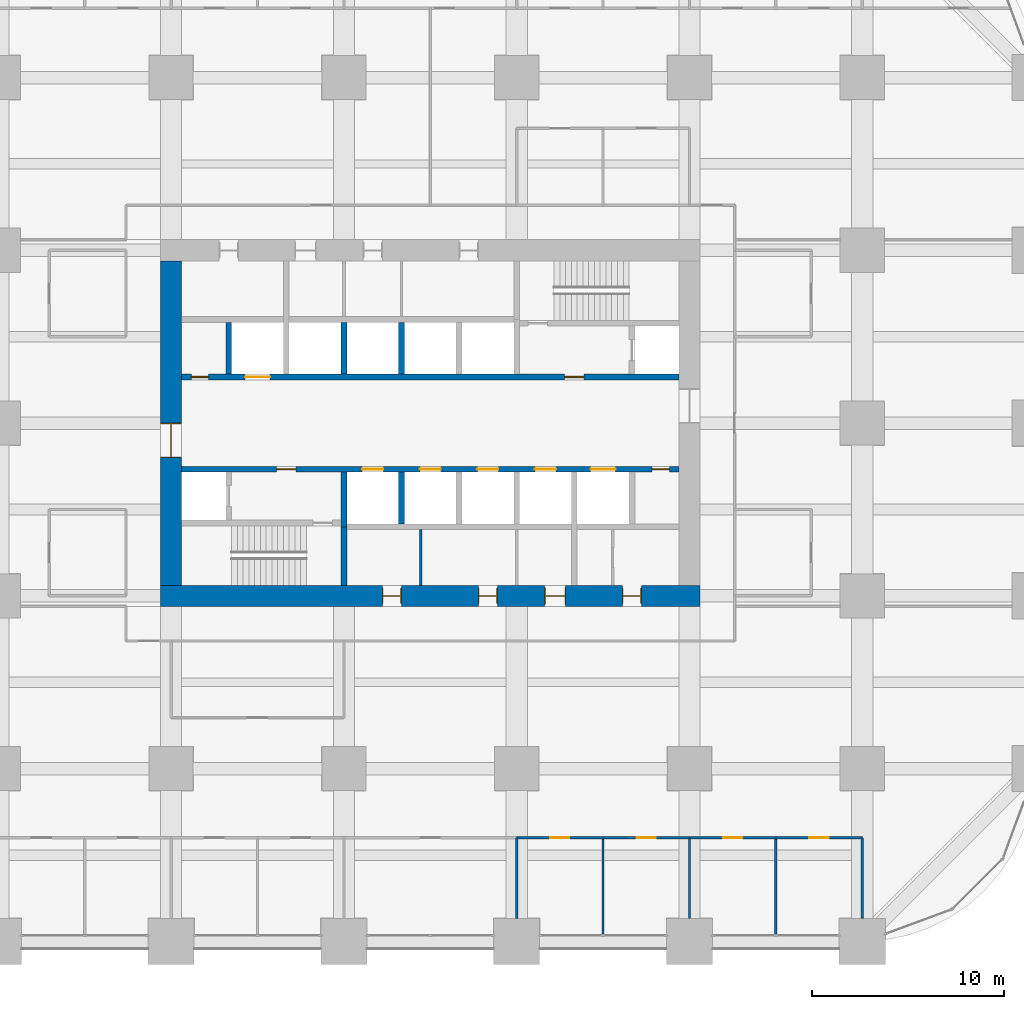
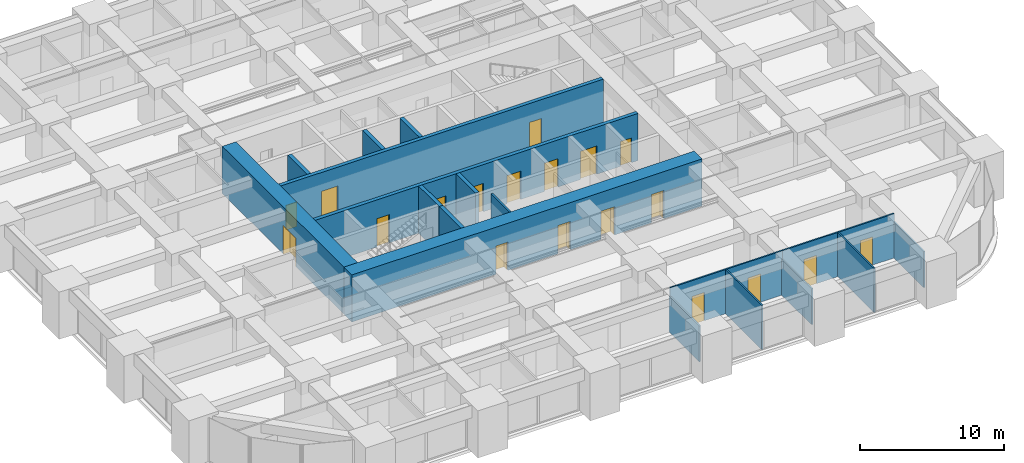
# One storey, part 40 of 45: 20 walls, 19 doors, 19 openings.
"""IFC4 building model written with IfcOpenShell, lengths in metres."""

from ifc_helpers import new_model, si_unit, direction, frame, frame_2d, origin, place, context, subcontext, project, spatial, rectangle, extrude, material, layer, layer_set, type_object, element, fill, save


model = new_model("IFC4")

# Units and contexts
model_context = context("Model", 3, precision=1e-05, world=origin(), true_north=direction((0.0, 1.0)))
body_context = subcontext(model_context, "Body", "Model", "MODEL_VIEW")
ifc_project = project(units=[si_unit("LENGTHUNIT", "METRE"), si_unit("AREAUNIT", "SQUARE_METRE"), si_unit("VOLUMEUNIT", "CUBIC_METRE"), si_unit("PLANEANGLEUNIT", "RADIAN"), si_unit("MASSUNIT", "GRAM", prefix="KILO")], contexts=[model_context])

# Site, building, storey
site_placement = place(None, origin())
site = spatial("IfcSite", under=ifc_project, at=site_placement, CompositionType="ELEMENT")
building_placement = place(site_placement, origin())
building = spatial("IfcBuilding", under=site, at=building_placement, Name="Zorevar Civic Tower", CompositionType="ELEMENT")
storey_placement = place(building_placement, frame((0.0, 0.0, 47.800048828125)))
storey = spatial("IfcBuildingStorey", under=building, at=storey_placement, Name="L11", CompositionType="ELEMENT", Elevation=47.800048828125)

# Wall, openings, doors
ifc_material_1 = material(Name="Concrete C50/60", Category="concrete")
ifc_layer_1 = layer(ifc_material_1, 1.10009765625)
ifc_layer_set_1 = layer_set([ifc_layer_1], Name="Core wall 1100")
wall_type_1 = type_object("IfcWallType", Name="Core wall 1100", PredefinedType="SHEAR", material=ifc_layer_set_1)
wall_1_placement = place(storey_placement, frame((17.449951171875, 18.0, 0.0), z_axis=(0.0, 0.0, 1.0), x_axis=(1.0, 0.0, 0.0)))
wall_1 = element("IfcWall", 1, at=wall_1_placement, inside=storey, type_object=wall_type_1, Name="Core wall S L11", PredefinedType="SHEAR", context=body_context, shape_type="SweptSolid", body=[
    extrude(rectangle(XDim=28.10009765625, YDim=1.10009765625, at=frame_2d((14.050048828125, 0.0))), origin(), (0.0, 0.0, 1.0), 4.0),
])
opening_1_placement = place(wall_1_placement, frame((11.550048828125, 0.0, 0.0)))
opening_1 = element("IfcOpeningElement", 2, at=opening_1_placement, cuts=wall_1, Name="Opening L11.03", PredefinedType="OPENING", context=body_context, shape_type="SweptSolid", body=[
    extrude(rectangle(XDim=1.0, YDim=2.39990234375, at=frame_2d((0.5, 1.199951171875))), frame((0.0, 0.56005859375, 0.0), z_axis=(0.0, -1.0, 0.0), x_axis=(1.0, 0.0, 0.0)), (0.0, 0.0, 1.0), 1.1201171875),
])
opening_2_placement = place(wall_1_placement, frame((16.550048828125, 0.0, 0.0)))
opening_2 = element("IfcOpeningElement", 3, at=opening_2_placement, cuts=wall_1, Name="Opening L11.04", PredefinedType="OPENING", context=body_context, shape_type="SweptSolid", body=[
    extrude(rectangle(XDim=1.0, YDim=2.39990234375, at=frame_2d((0.5, 1.199951171875))), frame((0.0, 0.56005859375, 0.0), z_axis=(0.0, -1.0, 0.0), x_axis=(1.0, 0.0, 0.0)), (0.0, 0.0, 1.0), 1.1201171875),
])
opening_3_placement = place(wall_1_placement, frame((20.0, 0.0, 0.0)))
opening_3 = element("IfcOpeningElement", 4, at=opening_3_placement, cuts=wall_1, Name="Opening L11.05", PredefinedType="OPENING", context=body_context, shape_type="SweptSolid", body=[
    extrude(rectangle(XDim=1.10009765625, YDim=2.39990234375, at=frame_2d((0.550048828125, 1.199951171875))), frame((0.0, 0.56005859375, 0.0), z_axis=(0.0, -1.0, 0.0), x_axis=(1.0, 0.0, 0.0)), (0.0, 0.0, 1.0), 1.1201171875),
])
opening_4_placement = place(wall_1_placement, frame((24.050048828125, 0.0, 0.0)))
opening_4 = element("IfcOpeningElement", 5, at=opening_4_placement, cuts=wall_1, Name="Opening L11.06", PredefinedType="OPENING", context=body_context, shape_type="SweptSolid", body=[
    extrude(rectangle(XDim=1.0, YDim=2.39990234375, at=frame_2d((0.5, 1.199951171875))), frame((0.0, 0.56005859375, 0.0), z_axis=(0.0, -1.0, 0.0), x_axis=(1.0, 0.0, 0.0)), (0.0, 0.0, 1.0), 1.1201171875),
])
ifc_material_2 = material(Name="Timber door set", Category="wood")
door_type_1 = type_object("IfcDoorType", Name="Door D1 1000x2400", OperationType="SINGLE_SWING_LEFT", PredefinedType="DOOR", material=ifc_material_2)
door_1_placement = place(opening_1_placement, origin())
door_1 = element("IfcDoor", 6, at=door_1_placement, inside=storey, type_object=door_type_1, Name="Door L11 02", OperationType="SINGLE_SWING_RIGHT", OverallHeight=2.39990234375, OverallWidth=1.0, PredefinedType="DOOR", context=body_context, shape_type="SweptSolid", body=[
    extrude(rectangle(XDim=1.0, YDim=2.39990234375, at=frame_2d((0.5, 1.199951171875))), frame((0.0, 0.02490234375, 0.0), z_axis=(0.0, -1.0, 0.0), x_axis=(1.0, 0.0, 0.0)), (0.0, 0.0, 1.0), 0.050048828125),
    extrude(rectangle(XDim=0.04, YDim=2.39990234375, at=frame_2d((0.02001953125, 1.199951171875))), frame((0.0, 0.39990234375, 0.0), z_axis=(0.0, -1.0, 0.0), x_axis=(1.0, 0.0, 0.0)), (0.0, 0.0, 1.0), 0.800048828125),
    extrude(rectangle(XDim=0.04, YDim=2.39990234375, at=frame_2d((0.97998046875, 1.199951171875))), frame((0.0, 0.39990234375, 0.0), z_axis=(0.0, -1.0, 0.0), x_axis=(1.0, 0.0, 0.0)), (0.0, 0.0, 1.0), 0.800048828125),
    extrude(rectangle(XDim=1.0, YDim=0.04, at=frame_2d((0.5, 2.3798828125))), frame((0.0, 0.39990234375, 0.0), z_axis=(0.0, -1.0, 0.0), x_axis=(1.0, 0.0, 0.0)), (0.0, 0.0, 1.0), 0.800048828125),
])
fill(opening_1, door_1)
door_2_placement = place(opening_2_placement, origin())
door_2 = element("IfcDoor", 7, at=door_2_placement, inside=storey, type_object=door_type_1, Name="Door L11 03", OperationType="SINGLE_SWING_LEFT", OverallHeight=2.39990234375, OverallWidth=1.0, PredefinedType="DOOR", context=body_context, shape_type="SweptSolid", body=[
    extrude(rectangle(XDim=1.0, YDim=2.39990234375, at=frame_2d((0.5, 1.199951171875))), frame((0.0, 0.02490234375, 0.0), z_axis=(0.0, -1.0, 0.0), x_axis=(1.0, 0.0, 0.0)), (0.0, 0.0, 1.0), 0.050048828125),
    extrude(rectangle(XDim=0.04, YDim=2.39990234375, at=frame_2d((0.02001953125, 1.199951171875))), frame((0.0, 0.39990234375, 0.0), z_axis=(0.0, -1.0, 0.0), x_axis=(1.0, 0.0, 0.0)), (0.0, 0.0, 1.0), 0.800048828125),
    extrude(rectangle(XDim=0.04, YDim=2.39990234375, at=frame_2d((0.97998046875, 1.199951171875))), frame((0.0, 0.39990234375, 0.0), z_axis=(0.0, -1.0, 0.0), x_axis=(1.0, 0.0, 0.0)), (0.0, 0.0, 1.0), 0.800048828125),
    extrude(rectangle(XDim=1.0, YDim=0.04, at=frame_2d((0.5, 2.3798828125))), frame((0.0, 0.39990234375, 0.0), z_axis=(0.0, -1.0, 0.0), x_axis=(1.0, 0.0, 0.0)), (0.0, 0.0, 1.0), 0.800048828125),
])
fill(opening_2, door_2)
door_3_placement = place(opening_4_placement, origin())
door_3 = element("IfcDoor", 8, at=door_3_placement, inside=storey, type_object=door_type_1, Name="Door L11 05", OperationType="SINGLE_SWING_LEFT", OverallHeight=2.39990234375, OverallWidth=1.0, PredefinedType="DOOR", context=body_context, shape_type="SweptSolid", body=[
    extrude(rectangle(XDim=1.0, YDim=2.39990234375, at=frame_2d((0.5, 1.199951171875))), frame((0.0, 0.02490234375, 0.0), z_axis=(0.0, -1.0, 0.0), x_axis=(1.0, 0.0, 0.0)), (0.0, 0.0, 1.0), 0.050048828125),
    extrude(rectangle(XDim=0.04, YDim=2.39990234375, at=frame_2d((0.02001953125, 1.199951171875))), frame((0.0, 0.39990234375, 0.0), z_axis=(0.0, -1.0, 0.0), x_axis=(1.0, 0.0, 0.0)), (0.0, 0.0, 1.0), 0.800048828125),
    extrude(rectangle(XDim=0.04, YDim=2.39990234375, at=frame_2d((0.97998046875, 1.199951171875))), frame((0.0, 0.39990234375, 0.0), z_axis=(0.0, -1.0, 0.0), x_axis=(1.0, 0.0, 0.0)), (0.0, 0.0, 1.0), 0.800048828125),
    extrude(rectangle(XDim=1.0, YDim=0.04, at=frame_2d((0.5, 2.3798828125))), frame((0.0, 0.39990234375, 0.0), z_axis=(0.0, -1.0, 0.0), x_axis=(1.0, 0.0, 0.0)), (0.0, 0.0, 1.0), 0.800048828125),
])
fill(opening_4, door_3)
ifc_material_3 = material(Name="Timber door set", Category="wood")
door_type_2 = type_object("IfcDoorType", Name="Door D5 1100x2400", OperationType="SINGLE_SWING_LEFT", PredefinedType="DOOR", material=ifc_material_3)
door_4_placement = place(opening_3_placement, origin())
door_4 = element("IfcDoor", 9, at=door_4_placement, inside=storey, type_object=door_type_2, Name="Door L11 04", OperationType="SINGLE_SWING_LEFT", OverallHeight=2.39990234375, OverallWidth=1.10009765625, PredefinedType="DOOR", context=body_context, shape_type="SweptSolid", body=[
    extrude(rectangle(XDim=1.10009765625, YDim=2.39990234375, at=frame_2d((0.550048828125, 1.199951171875))), frame((0.0, 0.02490234375, 0.0), z_axis=(0.0, -1.0, 0.0), x_axis=(1.0, 0.0, 0.0)), (0.0, 0.0, 1.0), 0.050048828125),
    extrude(rectangle(XDim=0.04, YDim=2.39990234375, at=frame_2d((0.02001953125, 1.199951171875))), frame((0.0, 0.43994140625, 0.0), z_axis=(0.0, -1.0, 0.0), x_axis=(1.0, 0.0, 0.0)), (0.0, 0.0, 1.0), 0.880126953125),
    extrude(rectangle(XDim=0.04, YDim=2.39990234375, at=frame_2d((1.080078125, 1.199951171875))), frame((0.0, 0.43994140625, 0.0), z_axis=(0.0, -1.0, 0.0), x_axis=(1.0, 0.0, 0.0)), (0.0, 0.0, 1.0), 0.880126953125),
    extrude(rectangle(XDim=1.10009765625, YDim=0.04, at=frame_2d((0.550048828125, 2.3798828125))), frame((0.0, 0.43994140625, 0.0), z_axis=(0.0, -1.0, 0.0), x_axis=(1.0, 0.0, 0.0)), (0.0, 0.0, 1.0), 0.880126953125),
])
fill(opening_3, door_4)

# Wall, opening, door
wall_2_placement = place(storey_placement, frame((18.0, 35.449951171875, 0.0), z_axis=(0.0, 0.0, 1.0), x_axis=(0.0, -1.0, 0.0)))
wall_2 = element("IfcWall", 10, at=wall_2_placement, inside=storey, type_object=wall_type_1, Name="Core wall W L11", PredefinedType="SHEAR", context=body_context, shape_type="SweptSolid", body=[
    extrude(rectangle(XDim=16.89990234375, YDim=1.10009765625, at=frame_2d((8.449951171875, 0.0))), origin(), (0.0, 0.0, 1.0), 4.0),
])
opening_5_placement = place(wall_2_placement, frame((8.449951171875, 0.0, 0.0)))
opening_5 = element("IfcOpeningElement", 11, at=opening_5_placement, cuts=wall_2, Name="Opening L11.01", PredefinedType="OPENING", context=body_context, shape_type="SweptSolid", body=[
    extrude(rectangle(XDim=1.800048828125, YDim=2.39990234375, at=frame_2d((0.89990234375, 1.199951171875))), frame((0.0, 0.56005859375, 0.0), z_axis=(0.0, -1.0, 0.0), x_axis=(1.0, 0.0, 0.0)), (0.0, 0.0, 1.0), 1.1201171875),
])
ifc_material_4 = material(Name="Steel door set", Category="steel")
door_type_3 = type_object("IfcDoorType", Name="Fire door FD2 1800x2400", OperationType="DOUBLE_DOOR_DOUBLE_SWING", PredefinedType="DOOR", material=ifc_material_4)
door_5_placement = place(opening_5_placement, origin())
door_5 = element("IfcDoor", 12, at=door_5_placement, inside=storey, type_object=door_type_3, Name="Door L11 00", OperationType="DOUBLE_DOOR_DOUBLE_SWING", OverallHeight=2.39990234375, OverallWidth=1.800048828125, PredefinedType="DOOR", context=body_context, shape_type="SweptSolid", body=[
    extrude(rectangle(XDim=1.800048828125, YDim=2.39990234375, at=frame_2d((0.89990234375, 1.199951171875))), frame((0.0, 0.030029296875, 0.0), z_axis=(0.0, -1.0, 0.0), x_axis=(1.0, 0.0, 0.0)), (0.0, 0.0, 1.0), 0.06005859375),
    extrude(rectangle(XDim=0.04, YDim=2.39990234375, at=frame_2d((0.02001953125, 1.199951171875))), frame((0.0, 0.5498046875, 0.0), z_axis=(0.0, -1.0, 0.0), x_axis=(1.0, 0.0, 0.0)), (0.0, 0.0, 1.0), 1.099609375),
    extrude(rectangle(XDim=0.04, YDim=2.39990234375, at=frame_2d((1.780029296875, 1.199951171875))), frame((0.0, 0.5498046875, 0.0), z_axis=(0.0, -1.0, 0.0), x_axis=(1.0, 0.0, 0.0)), (0.0, 0.0, 1.0), 1.099609375),
    extrude(rectangle(XDim=1.800048828125, YDim=0.04, at=frame_2d((0.89990234375, 2.3798828125))), frame((0.0, 0.5498046875, 0.0), z_axis=(0.0, -1.0, 0.0), x_axis=(1.0, 0.0, 0.0)), (0.0, 0.0, 1.0), 1.099609375),
])
fill(opening_5, door_5)

# Wall
ifc_material_5 = material(Name="Concrete C40/50", Category="concrete")
ifc_layer_2 = layer(ifc_material_5, 0.300048828125)
ifc_layer_set_2 = layer_set([ifc_layer_2], Name="Inner core wall 300")
wall_type_2 = type_object("IfcWallType", Name="Inner core wall 300", PredefinedType="SHEAR", material=ifc_layer_set_2)
wall_3_placement = place(storey_placement, frame((27.0, 18.550048828125, 0.0), z_axis=(0.0, 0.0, 1.0), x_axis=(0.0, 1.0, 0.0)))
element("IfcWall", 13, at=wall_3_placement, inside=storey, type_object=wall_type_2, Name="Inner core wall S01 L11", PredefinedType="SHEAR", context=body_context, shape_type="SweptSolid", body=[
    extrude(rectangle(XDim=3.050048828125, YDim=0.300048828125, at=frame_2d((1.52490234375, 0.0))), origin(), (0.0, 0.0, 1.0), 4.0),
])

# Wall, openings, doors
wall_4_placement = place(storey_placement, frame((18.550048828125, 24.60009765625, 0.0), z_axis=(0.0, 0.0, 1.0), x_axis=(1.0, 0.0, 0.0)))
wall_4 = element("IfcWall", 14, at=wall_4_placement, inside=storey, type_object=wall_type_2, Name="Inner core wall S03 L11", PredefinedType="SHEAR", context=body_context, shape_type="SweptSolid", body=[
    extrude(rectangle(XDim=25.89990234375, YDim=0.300048828125, at=frame_2d((12.949951171875, 0.0))), origin(), (0.0, 0.0, 1.0), 4.0),
])
opening_6_placement = place(wall_4_placement, frame((4.949951171875, 0.0, 0.0)))
opening_6 = element("IfcOpeningElement", 15, at=opening_6_placement, cuts=wall_4, Name="Opening L11.13", PredefinedType="OPENING", context=body_context, shape_type="SweptSolid", body=[
    extrude(rectangle(XDim=1.0, YDim=2.39990234375, at=frame_2d((0.5, 1.199951171875))), frame((0.0, 0.159912109375, 0.0), z_axis=(0.0, -1.0, 0.0), x_axis=(1.0, 0.0, 0.0)), (0.0, 0.0, 1.0), 0.320068359375),
])
opening_7_placement = place(wall_4_placement, frame((24.5, 0.0, 0.0)))
opening_7 = element("IfcOpeningElement", 16, at=opening_7_placement, cuts=wall_4, Name="Opening L11.15", PredefinedType="OPENING", context=body_context, shape_type="SweptSolid", body=[
    extrude(rectangle(XDim=0.89990234375, YDim=2.10009765625, at=frame_2d((0.449951171875, 1.050048828125))), frame((0.0, 0.159912109375, 0.0), z_axis=(0.0, -1.0, 0.0), x_axis=(1.0, 0.0, 0.0)), (0.0, 0.0, 1.0), 0.320068359375),
])
opening_8_placement = place(wall_4_placement, frame((9.39990234375, 0.0, 0.0)))
opening_8 = element("IfcOpeningElement", 17, at=opening_8_placement, cuts=wall_4, Name="Opening L11.LP1", PredefinedType="OPENING", context=body_context, shape_type="SweptSolid", body=[
    extrude(rectangle(XDim=1.10009765625, YDim=2.39990234375, at=frame_2d((0.550048828125, 1.199951171875))), frame((0.0, 0.159912109375, 0.0), z_axis=(0.0, -1.0, 0.0), x_axis=(1.0, 0.0, 0.0)), (0.0, 0.0, 1.0), 0.320068359375),
])
opening_9_placement = place(wall_4_placement, frame((12.39990234375, 0.0, 0.0)))
opening_9 = element("IfcOpeningElement", 18, at=opening_9_placement, cuts=wall_4, Name="Opening L11.LP2", PredefinedType="OPENING", context=body_context, shape_type="SweptSolid", body=[
    extrude(rectangle(XDim=1.10009765625, YDim=2.39990234375, at=frame_2d((0.550048828125, 1.199951171875))), frame((0.0, 0.159912109375, 0.0), z_axis=(0.0, -1.0, 0.0), x_axis=(1.0, 0.0, 0.0)), (0.0, 0.0, 1.0), 0.320068359375),
])
opening_10_placement = place(wall_4_placement, frame((15.39990234375, 0.0, 0.0)))
opening_10 = element("IfcOpeningElement", 19, at=opening_10_placement, cuts=wall_4, Name="Opening L11.LP3", PredefinedType="OPENING", context=body_context, shape_type="SweptSolid", body=[
    extrude(rectangle(XDim=1.10009765625, YDim=2.39990234375, at=frame_2d((0.550048828125, 1.199951171875))), frame((0.0, 0.159912109375, 0.0), z_axis=(0.0, -1.0, 0.0), x_axis=(1.0, 0.0, 0.0)), (0.0, 0.0, 1.0), 0.320068359375),
])
opening_11_placement = place(wall_4_placement, frame((18.39990234375, 0.0, 0.0)))
opening_11 = element("IfcOpeningElement", 20, at=opening_11_placement, cuts=wall_4, Name="Opening L11.LP4", PredefinedType="OPENING", context=body_context, shape_type="SweptSolid", body=[
    extrude(rectangle(XDim=1.10009765625, YDim=2.39990234375, at=frame_2d((0.550048828125, 1.199951171875))), frame((0.0, 0.159912109375, 0.0), z_axis=(0.0, -1.0, 0.0), x_axis=(1.0, 0.0, 0.0)), (0.0, 0.0, 1.0), 0.320068359375),
])
opening_12_placement = place(wall_4_placement, frame((21.300048828125, 0.0, 0.0)))
opening_12 = element("IfcOpeningElement", 21, at=opening_12_placement, cuts=wall_4, Name="Opening L11.SL1", PredefinedType="OPENING", context=body_context, shape_type="SweptSolid", body=[
    extrude(rectangle(XDim=1.300048828125, YDim=2.39990234375, at=frame_2d((0.64990234375, 1.199951171875))), frame((0.0, 0.159912109375, 0.0), z_axis=(0.0, -1.0, 0.0), x_axis=(1.0, 0.0, 0.0)), (0.0, 0.0, 1.0), 0.320068359375),
])
ifc_material_6 = material(Name="Steel door set", Category="steel")
door_type_4 = type_object("IfcDoorType", Name="Fire door FD1 1000x2400", OperationType="SINGLE_SWING_LEFT", PredefinedType="DOOR", material=ifc_material_6)
door_6_placement = place(opening_6_placement, origin())
door_6 = element("IfcDoor", 22, at=door_6_placement, inside=storey, type_object=door_type_4, Name="Door L11 12", OperationType="SINGLE_SWING_RIGHT", OverallHeight=2.39990234375, OverallWidth=1.0, PredefinedType="DOOR", context=body_context, shape_type="SweptSolid", body=[
    extrude(rectangle(XDim=1.0, YDim=2.39990234375, at=frame_2d((0.5, 1.199951171875))), frame((0.0, 0.030029296875, 0.0), z_axis=(0.0, -1.0, 0.0), x_axis=(1.0, 0.0, 0.0)), (0.0, 0.0, 1.0), 0.06005859375),
])
fill(opening_6, door_6)
ifc_material_7 = material(Name="Steel door set", Category="steel")
door_type_5 = type_object("IfcDoorType", Name="Landing door LD1 1100x2400", OperationType="DOUBLE_DOOR_SLIDING", PredefinedType="DOOR", material=ifc_material_7)
door_7_placement = place(opening_8_placement, origin())
door_7 = element("IfcDoor", 23, at=door_7_placement, inside=storey, type_object=door_type_5, Name="Landing door LP1 L11", OperationType="DOUBLE_DOOR_SLIDING", OverallHeight=2.39990234375, OverallWidth=1.10009765625, PredefinedType="DOOR", context=body_context, shape_type="SweptSolid", body=[
    extrude(rectangle(XDim=1.10009765625, YDim=2.39990234375, at=frame_2d((0.550048828125, 1.199951171875))), frame((0.0, 0.02001953125, 0.0), z_axis=(0.0, -1.0, 0.0), x_axis=(1.0, 0.0, 0.0)), (0.0, 0.0, 1.0), 0.0400390625),
])
fill(opening_8, door_7)
door_8_placement = place(opening_9_placement, origin())
door_8 = element("IfcDoor", 24, at=door_8_placement, inside=storey, type_object=door_type_5, Name="Landing door LP2 L11", OperationType="DOUBLE_DOOR_SLIDING", OverallHeight=2.39990234375, OverallWidth=1.10009765625, PredefinedType="DOOR", context=body_context, shape_type="SweptSolid", body=[
    extrude(rectangle(XDim=1.10009765625, YDim=2.39990234375, at=frame_2d((0.550048828125, 1.199951171875))), frame((0.0, 0.02001953125, 0.0), z_axis=(0.0, -1.0, 0.0), x_axis=(1.0, 0.0, 0.0)), (0.0, 0.0, 1.0), 0.0400390625),
])
fill(opening_9, door_8)
door_9_placement = place(opening_10_placement, origin())
door_9 = element("IfcDoor", 25, at=door_9_placement, inside=storey, type_object=door_type_5, Name="Landing door LP3 L11", OperationType="DOUBLE_DOOR_SLIDING", OverallHeight=2.39990234375, OverallWidth=1.10009765625, PredefinedType="DOOR", context=body_context, shape_type="SweptSolid", body=[
    extrude(rectangle(XDim=1.10009765625, YDim=2.39990234375, at=frame_2d((0.550048828125, 1.199951171875))), frame((0.0, 0.02001953125, 0.0), z_axis=(0.0, -1.0, 0.0), x_axis=(1.0, 0.0, 0.0)), (0.0, 0.0, 1.0), 0.0400390625),
])
fill(opening_10, door_9)
door_10_placement = place(opening_11_placement, origin())
door_10 = element("IfcDoor", 26, at=door_10_placement, inside=storey, type_object=door_type_5, Name="Landing door LP4 L11", OperationType="DOUBLE_DOOR_SLIDING", OverallHeight=2.39990234375, OverallWidth=1.10009765625, PredefinedType="DOOR", context=body_context, shape_type="SweptSolid", body=[
    extrude(rectangle(XDim=1.10009765625, YDim=2.39990234375, at=frame_2d((0.550048828125, 1.199951171875))), frame((0.0, 0.02001953125, 0.0), z_axis=(0.0, -1.0, 0.0), x_axis=(1.0, 0.0, 0.0)), (0.0, 0.0, 1.0), 0.0400390625),
])
fill(opening_11, door_10)
ifc_material_8 = material(Name="Steel door set", Category="steel")
door_type_6 = type_object("IfcDoorType", Name="Landing door LD2 1300x2400", OperationType="DOUBLE_DOOR_SLIDING", PredefinedType="DOOR", material=ifc_material_8)
door_11_placement = place(opening_12_placement, origin())
door_11 = element("IfcDoor", 27, at=door_11_placement, inside=storey, type_object=door_type_6, Name="Landing door SL1 L11", OperationType="DOUBLE_DOOR_SLIDING", OverallHeight=2.39990234375, OverallWidth=1.300048828125, PredefinedType="DOOR", context=body_context, shape_type="SweptSolid", body=[
    extrude(rectangle(XDim=1.300048828125, YDim=2.39990234375, at=frame_2d((0.64990234375, 1.199951171875))), frame((0.0, 0.02001953125, 0.0), z_axis=(0.0, -1.0, 0.0), x_axis=(1.0, 0.0, 0.0)), (0.0, 0.0, 1.0), 0.0400390625),
])
fill(opening_12, door_11)
ifc_material_9 = material(Name="Steel door set", Category="steel")
door_type_7 = type_object("IfcDoorType", Name="Riser door RD1 900x2100", OperationType="SINGLE_SWING_LEFT", PredefinedType="DOOR", material=ifc_material_9)
door_12_placement = place(opening_7_placement, origin())
door_12 = element("IfcDoor", 28, at=door_12_placement, inside=storey, type_object=door_type_7, Name="Door L11 14", OperationType="SINGLE_SWING_RIGHT", OverallHeight=2.10009765625, OverallWidth=0.89990234375, PredefinedType="DOOR", context=body_context, shape_type="SweptSolid", body=[
    extrude(rectangle(XDim=0.89990234375, YDim=2.10009765625, at=frame_2d((0.449951171875, 1.050048828125))), frame((0.0, 0.030029296875, 0.0), z_axis=(0.0, -1.0, 0.0), x_axis=(1.0, 0.0, 0.0)), (0.0, 0.0, 1.0), 0.06005859375),
])
fill(opening_7, door_12)

wall_5_placement = place(storey_placement, frame((18.550048828125, 29.39990234375, 0.0), z_axis=(0.0, 0.0, 1.0), x_axis=(1.0, 0.0, 0.0)))
wall_5 = element("IfcWall", 29, at=wall_5_placement, inside=storey, type_object=wall_type_2, Name="Inner core wall N03 L11", PredefinedType="SHEAR", context=body_context, shape_type="SweptSolid", body=[
    extrude(rectangle(XDim=25.89990234375, YDim=0.300048828125, at=frame_2d((12.949951171875, 0.0))), origin(), (0.0, 0.0, 1.0), 4.0),
])
opening_13_placement = place(wall_5_placement, frame((19.949951171875, 0.0, 0.0)))
opening_13 = element("IfcOpeningElement", 30, at=opening_13_placement, cuts=wall_5, Name="Opening L11.14", PredefinedType="OPENING", context=body_context, shape_type="SweptSolid", body=[
    extrude(rectangle(XDim=1.0, YDim=2.39990234375, at=frame_2d((0.5, 1.199951171875))), frame((0.0, 0.159912109375, 0.0), z_axis=(0.0, -1.0, 0.0), x_axis=(1.0, 0.0, 0.0)), (0.0, 0.0, 1.0), 0.320068359375),
])
opening_14_placement = place(wall_5_placement, frame((0.5, 0.0, 0.0)))
opening_14 = element("IfcOpeningElement", 31, at=opening_14_placement, cuts=wall_5, Name="Opening L11.16", PredefinedType="OPENING", context=body_context, shape_type="SweptSolid", body=[
    extrude(rectangle(XDim=0.89990234375, YDim=2.10009765625, at=frame_2d((0.449951171875, 1.050048828125))), frame((0.0, 0.159912109375, 0.0), z_axis=(0.0, -1.0, 0.0), x_axis=(1.0, 0.0, 0.0)), (0.0, 0.0, 1.0), 0.320068359375),
])
opening_15_placement = place(wall_5_placement, frame((3.300048828125, 0.0, 0.0)))
opening_15 = element("IfcOpeningElement", 32, at=opening_15_placement, cuts=wall_5, Name="Opening L11.SL2", PredefinedType="OPENING", context=body_context, shape_type="SweptSolid", body=[
    extrude(rectangle(XDim=1.300048828125, YDim=2.39990234375, at=frame_2d((0.64990234375, 1.199951171875))), frame((0.0, 0.159912109375, 0.0), z_axis=(0.0, -1.0, 0.0), x_axis=(1.0, 0.0, 0.0)), (0.0, 0.0, 1.0), 0.320068359375),
])
door_13_placement = place(opening_13_placement, origin())
door_13 = element("IfcDoor", 33, at=door_13_placement, inside=storey, type_object=door_type_4, Name="Door L11 13", OperationType="SINGLE_SWING_RIGHT", OverallHeight=2.39990234375, OverallWidth=1.0, PredefinedType="DOOR", context=body_context, shape_type="SweptSolid", body=[
    extrude(rectangle(XDim=1.0, YDim=2.39990234375, at=frame_2d((0.5, 1.199951171875))), frame((0.0, 0.030029296875, 0.0), z_axis=(0.0, -1.0, 0.0), x_axis=(1.0, 0.0, 0.0)), (0.0, 0.0, 1.0), 0.06005859375),
])
fill(opening_13, door_13)
door_14_placement = place(opening_15_placement, origin())
door_14 = element("IfcDoor", 34, at=door_14_placement, inside=storey, type_object=door_type_6, Name="Landing door SL2 L11", OperationType="DOUBLE_DOOR_SLIDING", OverallHeight=2.39990234375, OverallWidth=1.300048828125, PredefinedType="DOOR", context=body_context, shape_type="SweptSolid", body=[
    extrude(rectangle(XDim=1.300048828125, YDim=2.39990234375, at=frame_2d((0.64990234375, 1.199951171875))), frame((0.0, 0.02001953125, 0.0), z_axis=(0.0, -1.0, 0.0), x_axis=(1.0, 0.0, 0.0)), (0.0, 0.0, 1.0), 0.0400390625),
])
fill(opening_15, door_14)
door_15_placement = place(opening_14_placement, origin())
door_15 = element("IfcDoor", 35, at=door_15_placement, inside=storey, type_object=door_type_7, Name="Door L11 15", OperationType="SINGLE_SWING_RIGHT", OverallHeight=2.10009765625, OverallWidth=0.89990234375, PredefinedType="DOOR", context=body_context, shape_type="SweptSolid", body=[
    extrude(rectangle(XDim=0.89990234375, YDim=2.10009765625, at=frame_2d((0.449951171875, 1.050048828125))), frame((0.0, 0.030029296875, 0.0), z_axis=(0.0, -1.0, 0.0), x_axis=(1.0, 0.0, 0.0)), (0.0, 0.0, 1.0), 0.06005859375),
])
fill(opening_14, door_15)

# Walls
for number, where, z_axis, x_axis, name in (
    (36, (30.0, 21.75, 0.0), (0.0, 0.0, 1.0), (0.0, 1.0, 0.0), "Inner core wall S05 L11"),
    (37, (30.0, 29.550048828125, 0.0), (0.0, 0.0, 1.0), (0.0, 1.0, 0.0), "Inner core wall N06 L11"),
    (38, (27.0, 29.550048828125, 0.0), (0.0, 0.0, 1.0), (0.0, 1.0, 0.0), "Inner core wall N07 L11"),
    (39, (21.0, 29.550048828125, 0.0), (0.0, 0.0, 1.0), (0.0, 1.0, 0.0), "Inner core wall N09 L11"),
):
    element("IfcWall", number, at=place(storey_placement, frame(where, z_axis=z_axis, x_axis=x_axis)), inside=storey, type_object=wall_type_2, Name=name, PredefinedType="SHEAR", context=body_context, shape_type="SweptSolid", body=[
        extrude(rectangle(XDim=2.699951171875, YDim=0.300048828125, at=frame_2d((1.35009765625, 0.0))), origin(), (0.0, 0.0, 1.0), 4.0),
    ])
wall_6_placement = place(storey_placement, frame((27.0, 21.60009765625, 0.0), z_axis=(0.0, 0.0, 1.0), x_axis=(0.0, 1.0, 0.0)))
element("IfcWall", 40, at=wall_6_placement, inside=storey, type_object=wall_type_2, Name="Inner core wall S10 L11", PredefinedType="SHEAR", context=body_context, shape_type="SweptSolid", body=[
    extrude(rectangle(XDim=2.849853515625, YDim=0.300048828125, at=frame_2d((1.4248046875, 0.0))), origin(), (0.0, 0.0, 1.0), 4.0),
])

# Wall, opening, door
ifc_material_10 = material(Name="Gypsum board on steel studs", Category="steel")
ifc_layer_3 = layer(ifc_material_10, 0.1201171875)
ifc_layer_set_3 = layer_set([ifc_layer_3], Name="Partition 120")
wall_type_3 = type_object("IfcWallType", Name="Partition 120", PredefinedType="PARTITIONING", material=ifc_layer_set_3)
wall_7_placement = place(storey_placement, frame((36.0, 5.39990234375, 0.0), z_axis=(0.0, 0.0, 1.0), x_axis=(1.0, 0.0, 0.0)))
wall_7 = element("IfcWall", 41, at=wall_7_placement, inside=storey, type_object=wall_type_3, Name="Partition 120 L11", PredefinedType="PARTITIONING", context=body_context, shape_type="SweptSolid", body=[
    extrude(rectangle(XDim=4.5, YDim=0.1201171875, at=frame_2d((2.25, 0.0))), origin(), (0.0, 0.0, 1.0), 3.75),
])
opening_16_placement = place(wall_7_placement, frame((1.75, 0.0, 0.0)))
opening_16 = element("IfcOpeningElement", 42, at=opening_16_placement, cuts=wall_7, Name="Opening L11.22", PredefinedType="OPENING", context=body_context, shape_type="SweptSolid", body=[
    extrude(rectangle(XDim=1.0, YDim=2.39990234375, at=frame_2d((0.5, 1.199951171875))), frame((0.0, 0.070068359375, 0.0), z_axis=(0.0, -1.0, 0.0), x_axis=(1.0, 0.0, 0.0)), (0.0, 0.0, 1.0), 0.14013671875),
])
door_16_placement = place(opening_16_placement, origin())
door_16 = element("IfcDoor", 43, at=door_16_placement, inside=storey, type_object=door_type_1, Name="Door L11 D1", OperationType="SINGLE_SWING_LEFT", OverallHeight=2.39990234375, OverallWidth=1.0, PredefinedType="DOOR", context=body_context, shape_type="SweptSolid", body=[
    extrude(rectangle(XDim=1.0, YDim=2.39990234375, at=frame_2d((0.5, 1.199951171875))), frame((0.0, 0.02490234375, 0.0), z_axis=(0.0, -1.0, 0.0), x_axis=(1.0, 0.0, 0.0)), (0.0, 0.0, 1.0), 0.050048828125),
])
fill(opening_16, door_16)

wall_8_placement = place(storey_placement, frame((40.5, 5.39990234375, 0.0), z_axis=(0.0, 0.0, 1.0), x_axis=(1.0, 0.0, 0.0)))
wall_8 = element("IfcWall", 44, at=wall_8_placement, inside=storey, type_object=wall_type_3, Name="Partition 120 L11", PredefinedType="PARTITIONING", context=body_context, shape_type="SweptSolid", body=[
    extrude(rectangle(XDim=4.5, YDim=0.1201171875, at=frame_2d((2.25, 0.0))), origin(), (0.0, 0.0, 1.0), 3.75),
])
opening_17_placement = place(wall_8_placement, frame((1.75, 0.0, 0.0)))
opening_17 = element("IfcOpeningElement", 45, at=opening_17_placement, cuts=wall_8, Name="Opening L11.23", PredefinedType="OPENING", context=body_context, shape_type="SweptSolid", body=[
    extrude(rectangle(XDim=1.0, YDim=2.39990234375, at=frame_2d((0.5, 1.199951171875))), frame((0.0, 0.070068359375, 0.0), z_axis=(0.0, -1.0, 0.0), x_axis=(1.0, 0.0, 0.0)), (0.0, 0.0, 1.0), 0.14013671875),
])
door_17_placement = place(opening_17_placement, origin())
door_17 = element("IfcDoor", 46, at=door_17_placement, inside=storey, type_object=door_type_1, Name="Door L11 D1", OperationType="SINGLE_SWING_LEFT", OverallHeight=2.39990234375, OverallWidth=1.0, PredefinedType="DOOR", context=body_context, shape_type="SweptSolid", body=[
    extrude(rectangle(XDim=1.0, YDim=2.39990234375, at=frame_2d((0.5, 1.199951171875))), frame((0.0, 0.02490234375, 0.0), z_axis=(0.0, -1.0, 0.0), x_axis=(1.0, 0.0, 0.0)), (0.0, 0.0, 1.0), 0.050048828125),
])
fill(opening_17, door_17)

wall_9_placement = place(storey_placement, frame((45.0, 5.39990234375, 0.0), z_axis=(0.0, 0.0, 1.0), x_axis=(1.0, 0.0, 0.0)))
wall_9 = element("IfcWall", 47, at=wall_9_placement, inside=storey, type_object=wall_type_3, Name="Partition 120 L11", PredefinedType="PARTITIONING", context=body_context, shape_type="SweptSolid", body=[
    extrude(rectangle(XDim=4.5, YDim=0.1201171875, at=frame_2d((2.25, 0.0))), origin(), (0.0, 0.0, 1.0), 3.75),
])
opening_18_placement = place(wall_9_placement, frame((1.75, 0.0, 0.0)))
opening_18 = element("IfcOpeningElement", 48, at=opening_18_placement, cuts=wall_9, Name="Opening L11.24", PredefinedType="OPENING", context=body_context, shape_type="SweptSolid", body=[
    extrude(rectangle(XDim=1.0, YDim=2.39990234375, at=frame_2d((0.5, 1.199951171875))), frame((0.0, 0.070068359375, 0.0), z_axis=(0.0, -1.0, 0.0), x_axis=(1.0, 0.0, 0.0)), (0.0, 0.0, 1.0), 0.14013671875),
])
door_18_placement = place(opening_18_placement, origin())
door_18 = element("IfcDoor", 49, at=door_18_placement, inside=storey, type_object=door_type_1, Name="Door L11 D1", OperationType="SINGLE_SWING_LEFT", OverallHeight=2.39990234375, OverallWidth=1.0, PredefinedType="DOOR", context=body_context, shape_type="SweptSolid", body=[
    extrude(rectangle(XDim=1.0, YDim=2.39990234375, at=frame_2d((0.5, 1.199951171875))), frame((0.0, 0.02490234375, 0.0), z_axis=(0.0, -1.0, 0.0), x_axis=(1.0, 0.0, 0.0)), (0.0, 0.0, 1.0), 0.050048828125),
])
fill(opening_18, door_18)

wall_10_placement = place(storey_placement, frame((49.5, 5.39990234375, 0.0), z_axis=(0.0, 0.0, 1.0), x_axis=(1.0, 0.0, 0.0)))
wall_10 = element("IfcWall", 50, at=wall_10_placement, inside=storey, type_object=wall_type_3, Name="Partition 120 L11", PredefinedType="PARTITIONING", context=body_context, shape_type="SweptSolid", body=[
    extrude(rectangle(XDim=4.5, YDim=0.1201171875, at=frame_2d((2.25, 0.0))), origin(), (0.0, 0.0, 1.0), 3.75),
])
opening_19_placement = place(wall_10_placement, frame((1.75, 0.0, 0.0)))
opening_19 = element("IfcOpeningElement", 51, at=opening_19_placement, cuts=wall_10, Name="Opening L11.25", PredefinedType="OPENING", context=body_context, shape_type="SweptSolid", body=[
    extrude(rectangle(XDim=1.0, YDim=2.39990234375, at=frame_2d((0.5, 1.199951171875))), frame((0.0, 0.070068359375, 0.0), z_axis=(0.0, -1.0, 0.0), x_axis=(1.0, 0.0, 0.0)), (0.0, 0.0, 1.0), 0.14013671875),
])
door_19_placement = place(opening_19_placement, origin())
door_19 = element("IfcDoor", 52, at=door_19_placement, inside=storey, type_object=door_type_1, Name="Door L11 D1", OperationType="SINGLE_SWING_LEFT", OverallHeight=2.39990234375, OverallWidth=1.0, PredefinedType="DOOR", context=body_context, shape_type="SweptSolid", body=[
    extrude(rectangle(XDim=1.0, YDim=2.39990234375, at=frame_2d((0.5, 1.199951171875))), frame((0.0, 0.02490234375, 0.0), z_axis=(0.0, -1.0, 0.0), x_axis=(1.0, 0.0, 0.0)), (0.0, 0.0, 1.0), 0.050048828125),
])
fill(opening_19, door_19)

# Walls
wall_11_placement = place(storey_placement, frame((36.0, 1.199951171875, 0.0), z_axis=(0.0, 0.0, 1.0), x_axis=(0.0, 1.0, 0.0)))
element("IfcWall", 53, at=wall_11_placement, inside=storey, type_object=wall_type_3, Name="Partition 120 L11", PredefinedType="PARTITIONING", context=body_context, shape_type="SweptSolid", body=[
    extrude(rectangle(XDim=4.199951171875, YDim=0.1201171875, at=frame_2d((2.10009765625, 0.0))), origin(), (0.0, 0.0, 1.0), 3.050048828125),
])
wall_12_placement = place(storey_placement, frame((40.5, 0.31005859375, 0.0), z_axis=(0.0, 0.0, 1.0), x_axis=(0.0, 1.0, 0.0)))
element("IfcWall", 54, at=wall_12_placement, inside=storey, type_object=wall_type_3, Name="Partition 120 L11", PredefinedType="PARTITIONING", context=body_context, shape_type="SweptSolid", body=[
    extrude(rectangle(XDim=5.08984375, YDim=0.1201171875, at=frame_2d((2.544921875, 0.0))), origin(), (0.0, 0.0, 1.0), 3.75),
])
wall_13_placement = place(storey_placement, frame((45.0, 1.199951171875, 0.0), z_axis=(0.0, 0.0, 1.0), x_axis=(0.0, 1.0, 0.0)))
element("IfcWall", 55, at=wall_13_placement, inside=storey, type_object=wall_type_3, Name="Partition 120 L11", PredefinedType="PARTITIONING", context=body_context, shape_type="SweptSolid", body=[
    extrude(rectangle(XDim=4.199951171875, YDim=0.1201171875, at=frame_2d((2.10009765625, 0.0))), origin(), (0.0, 0.0, 1.0), 3.050048828125),
])
wall_14_placement = place(storey_placement, frame((49.5, 0.31005859375, 0.0), z_axis=(0.0, 0.0, 1.0), x_axis=(0.0, 1.0, 0.0)))
element("IfcWall", 56, at=wall_14_placement, inside=storey, type_object=wall_type_3, Name="Partition 120 L11", PredefinedType="PARTITIONING", context=body_context, shape_type="SweptSolid", body=[
    extrude(rectangle(XDim=5.08984375, YDim=0.1201171875, at=frame_2d((2.544921875, 0.0))), origin(), (0.0, 0.0, 1.0), 3.75),
])
wall_15_placement = place(storey_placement, frame((54.0, 1.199951171875, 0.0), z_axis=(0.0, 0.0, 1.0), x_axis=(0.0, 1.0, 0.0)))
element("IfcWall", 57, at=wall_15_placement, inside=storey, type_object=wall_type_3, Name="Partition 120 L11", PredefinedType="PARTITIONING", context=body_context, shape_type="SweptSolid", body=[
    extrude(rectangle(XDim=4.199951171875, YDim=0.1201171875, at=frame_2d((2.10009765625, 0.0))), origin(), (0.0, 0.0, 1.0), 3.050048828125),
])
ifc_material_11 = material(Name="Gypsum board on steel studs, moisture resistant", Category="steel")
ifc_layer_4 = layer(ifc_material_11, 0.14990234375)
ifc_layer_set_4 = layer_set([ifc_layer_4], Name="WC partition 150")
wall_type_4 = type_object("IfcWallType", Name="WC partition 150", PredefinedType="PARTITIONING", material=ifc_layer_set_4)
wall_16_placement = place(storey_placement, frame((31.0, 18.550048828125, 0.0), z_axis=(0.0, 0.0, 1.0), x_axis=(0.0, 1.0, 0.0)))
element("IfcWall", 58, at=wall_16_placement, inside=storey, type_object=wall_type_4, Name="WC partition L11", PredefinedType="PARTITIONING", context=body_context, shape_type="SweptSolid", body=[
    extrude(rectangle(XDim=2.89990234375, YDim=0.14990234375, at=frame_2d((1.449951171875, 0.0))), origin(), (0.0, 0.0, 1.0), 3.75),
])

save(model, "model.ifc")
